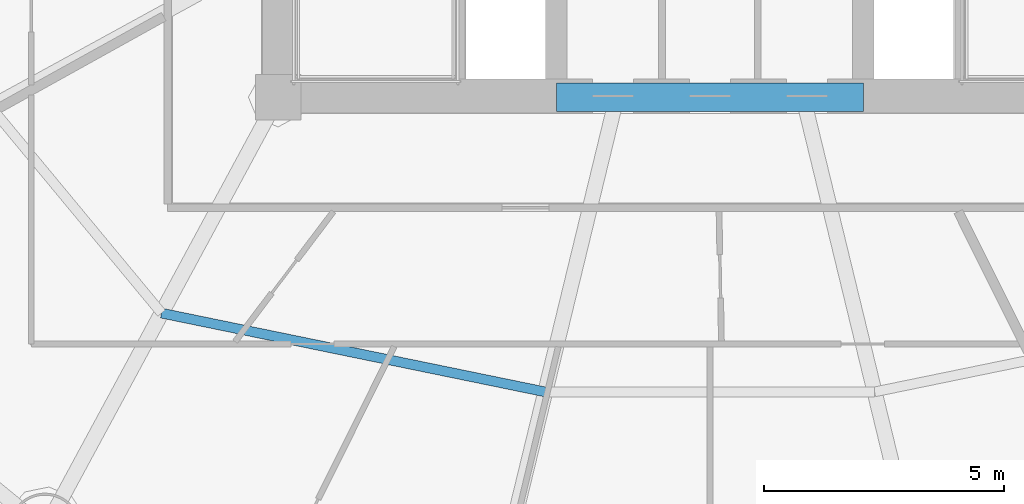
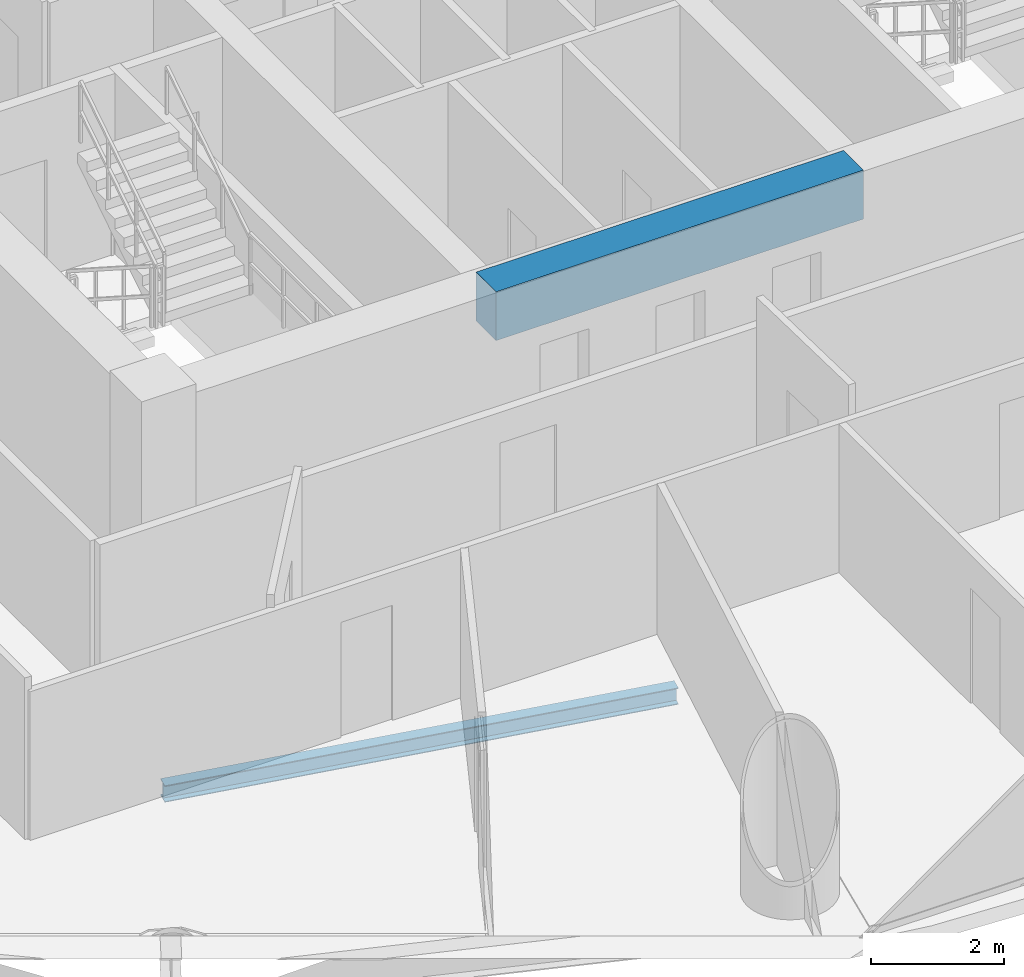
# One storey, part 5 of 28: 2 beams.
"""IFC4 building model written with IfcOpenShell, lengths in metres."""

from ifc_helpers import new_model, si_unit, direction, frame, origin, origin_2d, place, context, subcontext, project, spatial, rectangle, i_section, extrude, material, material_profile, profile_set, type_object, element, save


model = new_model("IFC4")

# Units and contexts
model_context = context("Model", 3, precision=1e-05, world=origin(), true_north=direction((-0.2419218956, 0.970295726276)))
body_context = subcontext(model_context, "Body", "Model", "MODEL_VIEW")
ifc_project = project(units=[si_unit("LENGTHUNIT", "METRE"), si_unit("AREAUNIT", "SQUARE_METRE"), si_unit("VOLUMEUNIT", "CUBIC_METRE"), si_unit("PLANEANGLEUNIT", "RADIAN"), si_unit("MASSUNIT", "GRAM", prefix="KILO")], contexts=[model_context])

# Site, building, storey
site_placement = place(None, origin())
site = spatial("IfcSite", under=ifc_project, at=site_placement, CompositionType="ELEMENT")
building_placement = place(site_placement, origin())
building = spatial("IfcBuilding", under=site, at=building_placement, Name="Cobrevalo Terracotta Tower", CompositionType="ELEMENT")
storey_placement = place(building_placement, frame((0.0, 0.0, 108.60009765625)))
storey = spatial("IfcBuildingStorey", under=building, at=storey_placement, Name="L28", CompositionType="ELEMENT", Elevation=108.60009765625)

# Beams
ifc_material_1 = material(Name="Concrete C60", Category="concrete")
ifc_material_profile_1 = material_profile(ifc_material_1, rectangle(XDim=0.60009765625, YDim=0.89990234375, at=origin_2d()), Name="RC CB 600x900")
ifc_profile_set_1 = profile_set([ifc_material_profile_1], Name="Concrete C60")
beam_type_1 = type_object("IfcBeamType", Name="Structural Beam RC CB 600x900 (Concrete C60)", PredefinedType="BEAM", material=ifc_profile_set_1)
beam_1_placement = place(storey_placement, frame((34.800048828125, 18.800048828125, 2.875), z_axis=(1.0, 0.0, 0.0), x_axis=(0.0, 1.0, 0.0)))
element("IfcBeam", 1, at=beam_1_placement, inside=storey, type_object=beam_type_1, Name="L28 core coupling beam 1", PredefinedType="BEAM", context=body_context, shape_type="SweptSolid", body=[
    extrude(rectangle(XDim=0.60009765625, YDim=0.89990234375, at=origin_2d()), origin(), (0.0, 0.0, 1.0), 6.39990234375),
])
ifc_material_2 = material(Name="Steel S355", Category="steel")
ifc_material_profile_2 = material_profile(ifc_material_2, i_section(OverallWidth=0.2041015625, OverallDepth=0.305908203125, WebThickness=0.008544921875, FlangeThickness=0.0146484375, at=origin_2d()), Name="W 310x67")
ifc_profile_set_2 = profile_set([ifc_material_profile_2], Name="Steel S355")
beam_type_2 = type_object("IfcBeamType", Name="Structural Joist W 310x67 (Steel S355)", PredefinedType="JOIST", material=ifc_profile_set_2)
beam_2_placement = place(storey_placement, frame((26.5693359375, 14.29833984375, -0.427978515625), z_axis=(0.979574469315, -0.201081722357, 0.0), x_axis=(0.201081722357, 0.979574469315, 0.0)))
element("IfcBeam", 2, at=beam_2_placement, inside=storey, type_object=beam_type_2, Name="L28 circumferential secondary floor joist 11", PredefinedType="JOIST", context=body_context, shape_type="SweptSolid", body=[
    extrude(i_section(OverallWidth=0.2041015625, OverallDepth=0.305908203125, WebThickness=0.008544921875, FlangeThickness=0.0146484375, at=origin_2d()), origin(), (0.0, 0.0, 1.0), 8.1650390625),
])

save(model, "model.ifc")
